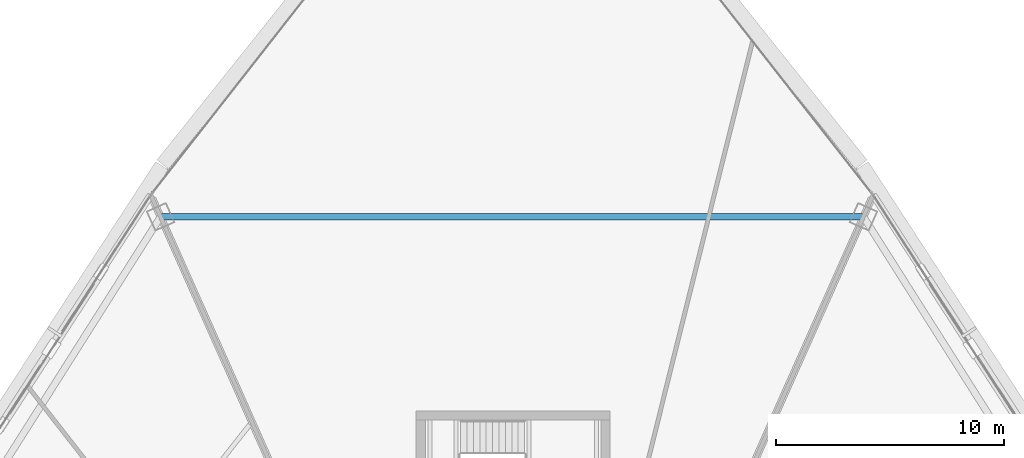
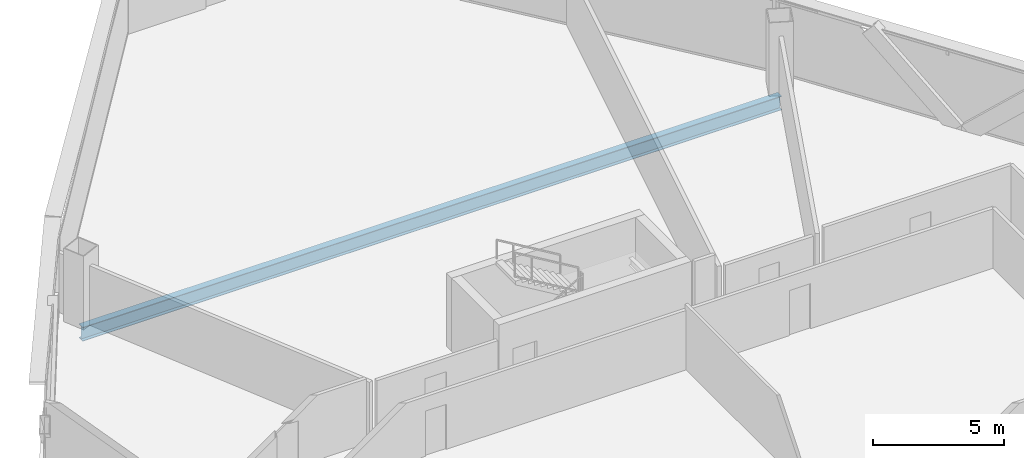
# One storey, part 21 of 39: 1 beam.
"""IFC4 building model written with IfcOpenShell, lengths in metres."""

from ifc_helpers import new_model, si_unit, direction, frame, origin, origin_2d, place, context, subcontext, project, spatial, i_section, extrude, source, transform, mapped, material, material_profile, profile_set, type_object, element, save


model = new_model("IFC4")

# Units and contexts
model_context = context("Model", 3, precision=1e-05, world=origin(), true_north=direction((0.0, 1.0)))
body_context = subcontext(model_context, "Body", "Model", "MODEL_VIEW")
ifc_project = project(units=[si_unit("LENGTHUNIT", "METRE"), si_unit("AREAUNIT", "SQUARE_METRE"), si_unit("VOLUMEUNIT", "CUBIC_METRE"), si_unit("PLANEANGLEUNIT", "RADIAN"), si_unit("MASSUNIT", "GRAM", prefix="KILO"), si_unit("THERMODYNAMICTEMPERATUREUNIT", "KELVIN"), si_unit("POWERUNIT", "WATT")], contexts=[model_context])

# Site, building, storey
site_placement = place(None, origin())
site = spatial("IfcSite", under=ifc_project, at=site_placement, CompositionType="ELEMENT")
building_placement = place(site_placement, origin())
building = spatial("IfcBuilding", under=site, at=building_placement, Name="Yunzhuo Pagoda Commons", CompositionType="ELEMENT")
storey_placement = place(building_placement, frame((0.0, 0.0, 166.6298828125)))
storey = spatial("IfcBuildingStorey", under=building, at=storey_placement, Name="L42", CompositionType="ELEMENT", Elevation=166.6298828125)

# Beam
ifc_material = material(Name="Structural steel Q355B", Category="steel")
ifc_material_profile = material_profile(ifc_material, i_section(OverallWidth=0.300048828125, OverallDepth=0.64990234375, WebThickness=0.012939453125, FlangeThickness=0.02197265625, at=origin_2d()), Name="Structural steel Q355B")
ifc_profile_set = profile_set([ifc_material_profile], Name="Structural steel Q355B")
beam_type = type_object("IfcBeamType", Name="B-RG2 Beam HN 650x300x13x22", PredefinedType="BEAM", material=ifc_profile_set)
shared_shape = source(origin(), body_context, "Body", "SweptSolid", [
    extrude(i_section(OverallWidth=0.300048828125, OverallDepth=0.64990234375, WebThickness=0.012939453125, FlangeThickness=0.02197265625, at=origin_2d()), origin(), (0.0, 0.0, 1.0), 30.81201171875),
])
beam_placement = place(storey_placement, frame((63.406005859375, 68.302734375, -0.5849609375), z_axis=(-1.0, 0.0, 0.0), x_axis=(0.0, -1.0, 0.0)))
element("IfcBeam", 1, at=beam_placement, inside=storey, type_object=beam_type, Name="L42 column-ring beam 8", PredefinedType="BEAM", context=body_context, shape_type="MappedRepresentation", body=[
    mapped(shared_shape, transform((0.0, 0.0, 0.0), scale=1.0)),
])

save(model, "model.ifc")
